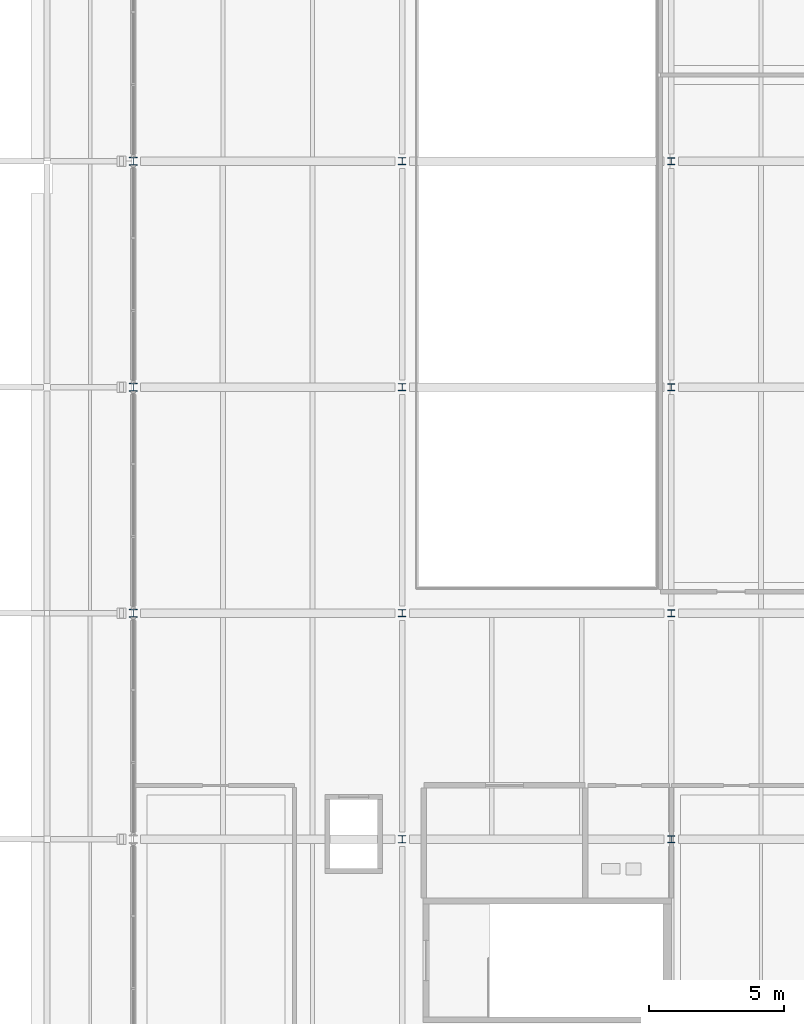
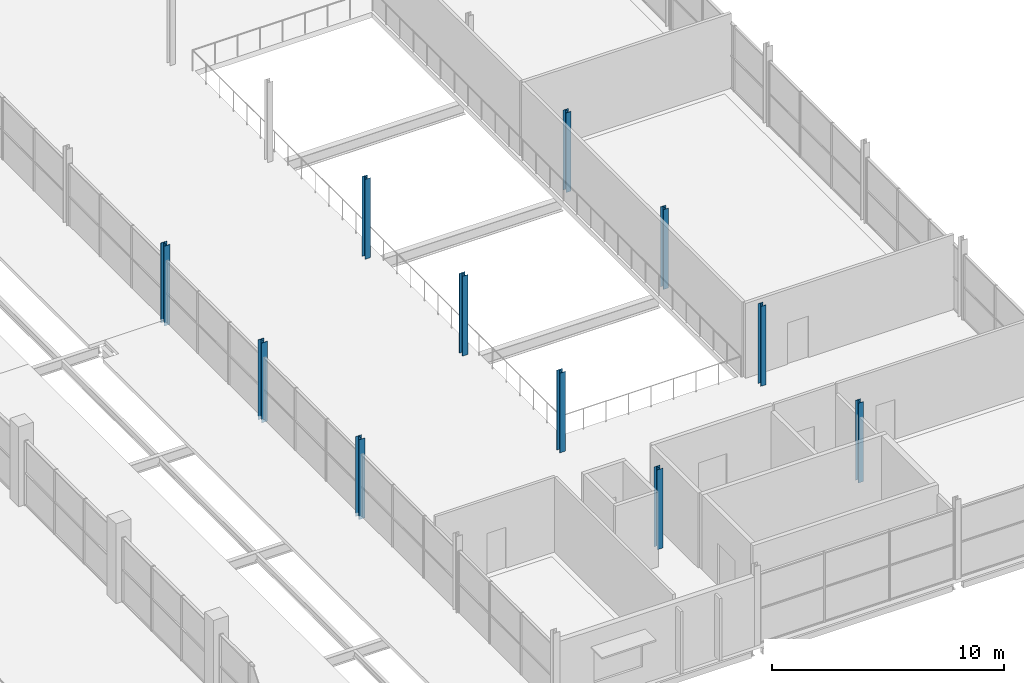
# One storey, part 13 of 161: 11 columns.
"""IFC4 building model written with IfcOpenShell, lengths in metres."""

from ifc_helpers import new_model, si_unit, direction, frame, origin, origin_2d, place, context, subcontext, project, spatial, i_section, extrude, material, material_profile, profile_set, type_object, element, save


model = new_model("IFC4")

# Units and contexts
model_context = context("Model", 3, precision=1e-05, world=origin(), true_north=direction((0.0, 1.0)))
body_context = subcontext(model_context, "Body", "Model", "MODEL_VIEW")
ifc_project = project(units=[si_unit("LENGTHUNIT", "METRE"), si_unit("AREAUNIT", "SQUARE_METRE"), si_unit("VOLUMEUNIT", "CUBIC_METRE"), si_unit("PLANEANGLEUNIT", "RADIAN"), si_unit("MASSUNIT", "GRAM", prefix="KILO"), si_unit("THERMODYNAMICTEMPERATUREUNIT", "KELVIN")], contexts=[model_context])

# Site, building, storey
site_placement = place(None, origin())
site = spatial("IfcSite", under=ifc_project, at=site_placement, CompositionType="ELEMENT")
building_placement = place(site_placement, origin())
building = spatial("IfcBuilding", under=site, at=building_placement, Name="Nduvali Passage Aquatics Centre", CompositionType="ELEMENT")
storey_placement = place(building_placement, frame((0.0, 0.0, 4.800048828125)))
storey = spatial("IfcBuildingStorey", under=building, at=storey_placement, Name="L01", CompositionType="ELEMENT", Elevation=4.800048828125)

# Columns
ifc_material = material(Name="Steel S355", Category="steel")
ifc_material_profile_1 = material_profile(ifc_material, i_section(OverallWidth=0.280029296875, OverallDepth=0.27001953125, WebThickness=0.008056640625, FlangeThickness=0.012939453125, FilletRadius=0.02392578125, at=origin_2d()), Name="HEA 280")
ifc_profile_set_1 = profile_set([ifc_material_profile_1], Name="Steel S355")
column_type_1 = type_object("IfcColumnType", Name="STR-COL-HEA280", PredefinedType="COLUMN", material=ifc_profile_set_1)
for number, where, z_axis, x_axis, name in (
    (1, (148.0, 33.60009765625, 0.0), (0.0, 0.0, 1.0), (1.0, 0.0, 0.0), "L01 Column C9A (148.0, 33.6)"),
    (2, (148.0, 42.0, 0.0), (0.0, 0.0, 1.0), (1.0, 0.0, 0.0), "L01 Column C9A (148.0, 42.0)"),
    (3, (148.0, 50.39990234375, 0.0), (0.0, 0.0, 1.0), (1.0, 0.0, 0.0), "L01 Column C9A (148.0, 50.4)"),
    (4, (148.0, 58.800048828125, 0.0), (0.0, 0.0, 1.0), (1.0, 0.0, 0.0), "L01 Column C9A (148.0, 58.8)"),
):
    element("IfcColumn", number, at=place(storey_placement, frame(where, z_axis=z_axis, x_axis=x_axis)), inside=storey, type_object=column_type_1, Name=name, PredefinedType="COLUMN", context=body_context, shape_type="SweptSolid", body=[
        extrude(i_section(OverallWidth=0.280029296875, OverallDepth=0.27001953125, WebThickness=0.008056640625, FlangeThickness=0.012939453125, FilletRadius=0.02392578125, at=origin_2d()), origin(), (0.0, 0.0, 1.0), 4.199951171875),
    ])
ifc_material_profile_2 = material_profile(ifc_material, i_section(OverallWidth=0.300048828125, OverallDepth=0.300048828125, WebThickness=0.010986328125, FlangeThickness=0.01904296875, FilletRadius=0.027099609375, at=origin_2d()), Name="HEB 300")
ifc_profile_set_2 = profile_set([ifc_material_profile_2], Name="Steel S355")
column_type_2 = type_object("IfcColumnType", Name="STR-COL-HEB300-EXT", PredefinedType="COLUMN", material=ifc_profile_set_2)
for number, where, z_axis, x_axis, name in (
    (5, (138.0, 42.0, 0.0), (0.0, 0.0, 1.0), (1.0, 0.0, 0.0), "L01 Column C8E (138.0, 42.0)"),
    (6, (138.0, 50.39990234375, 0.0), (0.0, 0.0, 1.0), (1.0, 0.0, 0.0), "L01 Column C8E (138.0, 50.4)"),
    (7, (138.0, 58.800048828125, 0.0), (0.0, 0.0, 1.0), (1.0, 0.0, 0.0), "L01 Column C8E (138.0, 58.8)"),
):
    element("IfcColumn", number, at=place(storey_placement, frame(where, z_axis=z_axis, x_axis=x_axis)), inside=storey, type_object=column_type_2, Name=name, PredefinedType="COLUMN", context=body_context, shape_type="SweptSolid", body=[
        extrude(i_section(OverallWidth=0.300048828125, OverallDepth=0.300048828125, WebThickness=0.010986328125, FlangeThickness=0.01904296875, FilletRadius=0.027099609375, at=origin_2d()), origin(), (0.0, 0.0, 1.0), 4.199951171875),
    ])
ifc_material_profile_3 = material_profile(ifc_material, i_section(OverallWidth=0.25634765625, OverallDepth=0.26025390625, WebThickness=0.01025390625, FlangeThickness=0.017333984375, FilletRadius=0.0126953125, at=origin_2d()), Name="UKC 254x254x89")
ifc_profile_set_3 = profile_set([ifc_material_profile_3], Name="Steel S355")
column_type_3 = type_object("IfcColumnType", Name="STR-COL-UKC254", PredefinedType="COLUMN", material=ifc_profile_set_3)
for number, where, z_axis, x_axis, name in (
    (8, (158.0, 33.60009765625, 0.0), (0.0, 0.0, 1.0), (1.0, 0.0, 0.0), "L01 Column C6B (158.0, 33.6)"),
    (9, (158.0, 42.0, 0.0), (0.0, 0.0, 1.0), (1.0, 0.0, 0.0), "L01 Column C6B (158.0, 42.0)"),
    (10, (158.0, 50.39990234375, 0.0), (0.0, 0.0, 1.0), (1.0, 0.0, 0.0), "L01 Column C6B (158.0, 50.4)"),
    (11, (158.0, 58.800048828125, 0.0), (0.0, 0.0, 1.0), (1.0, 0.0, 0.0), "L01 Column C6B (158.0, 58.8)"),
):
    element("IfcColumn", number, at=place(storey_placement, frame(where, z_axis=z_axis, x_axis=x_axis)), inside=storey, type_object=column_type_3, Name=name, PredefinedType="COLUMN", context=body_context, shape_type="SweptSolid", body=[
        extrude(i_section(OverallWidth=0.25634765625, OverallDepth=0.26025390625, WebThickness=0.01025390625, FlangeThickness=0.017333984375, FilletRadius=0.0126953125, at=origin_2d()), origin(), (0.0, 0.0, 1.0), 4.199951171875),
    ])

save(model, "model.ifc")
